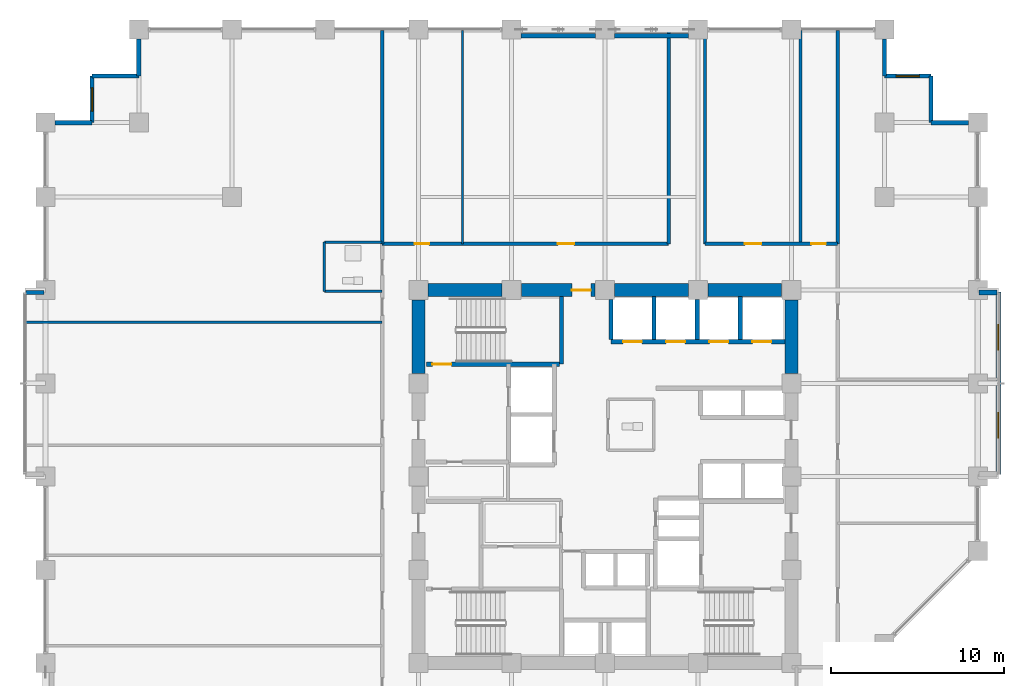
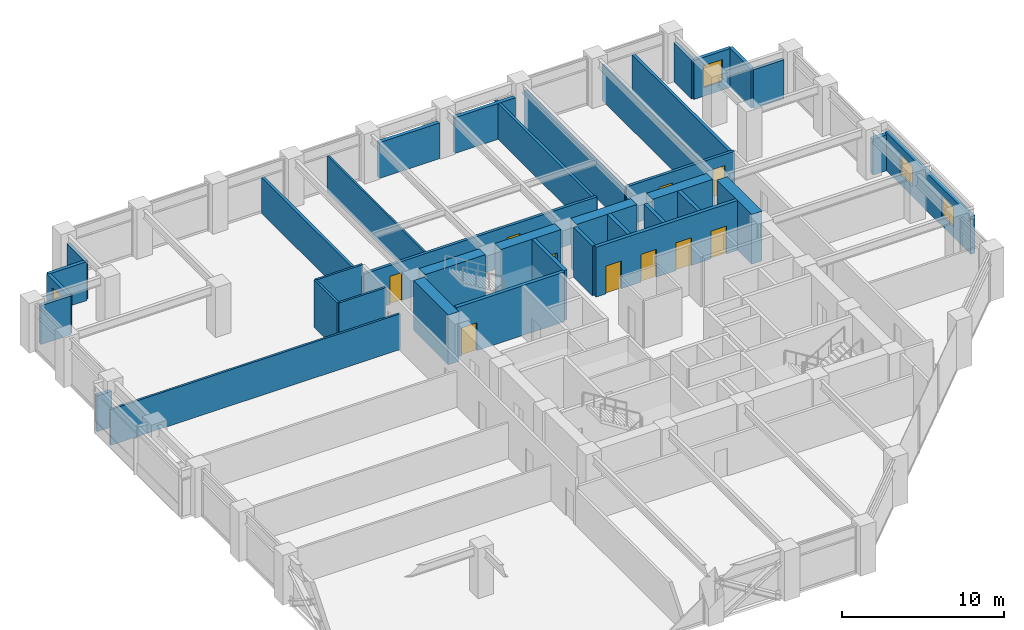
# One storey, part 21 of 25: 38 walls, 10 doors, 4 windows, 14 openings.
"""IFC4 building model written with IfcOpenShell, lengths in metres."""

from ifc_helpers import new_model, si_unit, direction, frame, frame_2d, origin, place, context, subcontext, project, spatial, rectangle, extrude, material, layer, layer_set, type_object, element, fill, save


model = new_model("IFC4")

# Units and contexts
model_context = context("Model", 3, precision=1e-05, world=origin(), true_north=direction((0.0, 1.0)))
body_context = subcontext(model_context, "Body", "Model", "MODEL_VIEW")
ifc_project = project(units=[si_unit("LENGTHUNIT", "METRE"), si_unit("AREAUNIT", "SQUARE_METRE"), si_unit("VOLUMEUNIT", "CUBIC_METRE"), si_unit("PLANEANGLEUNIT", "RADIAN"), si_unit("MASSUNIT", "GRAM", prefix="KILO")], contexts=[model_context])

# Site, building, storey
site_placement = place(None, origin())
site = spatial("IfcSite", under=ifc_project, at=site_placement, CompositionType="ELEMENT")
building_placement = place(site_placement, origin())
building = spatial("IfcBuilding", under=site, at=building_placement, Name="Surkhivell Harbour Commons", CompositionType="ELEMENT")
storey_placement = place(building_placement, frame((0.0, 0.0, 98.25)))
storey = spatial("IfcBuildingStorey", under=building, at=storey_placement, Name="L25", CompositionType="ELEMENT", Elevation=98.25)

# Wall
ifc_material_1 = material(Name="Concrete C60/75", Category="concrete")
ifc_layer_1 = layer(ifc_material_1, 0.75)
ifc_layer_set_1 = layer_set([ifc_layer_1], Name="Concrete C60/75")
wall_type_1 = type_object("IfcWallType", Name="WAL-CORE-750", PredefinedType="SHEAR", material=ifc_layer_set_1)
wall_1_placement = place(storey_placement, frame((-10.239990234375, 10.800048828125, 0.0), z_axis=(0.0, 0.0, 1.0), x_axis=(1.0, 0.0, 0.0)))
element("IfcWall", 1, at=wall_1_placement, inside=storey, type_object=wall_type_1, Name="L25 Core Shear Wall North 1", PredefinedType="SHEAR", context=body_context, shape_type="SweptSolid", body=[
    extrude(rectangle(XDim=4.280029296875, YDim=0.75, at=frame_2d((2.14013671875, 0.0))), origin(), (0.0, 0.0, 1.0), 3.75),
])

# Wall, opening, door
wall_2_placement = place(storey_placement, frame((-4.840087890625, 10.800048828125, 0.0), z_axis=(0.0, 0.0, 1.0), x_axis=(1.0, 0.0, 0.0)))
wall_2 = element("IfcWall", 2, at=wall_2_placement, inside=storey, type_object=wall_type_1, Name="L25 Core Shear Wall North 2", PredefinedType="SHEAR", context=body_context, shape_type="SweptSolid", body=[
    extrude(rectangle(XDim=4.280029296875, YDim=0.75, at=frame_2d((2.14013671875, 0.0))), origin(), (0.0, 0.0, 1.0), 3.75),
])
opening_1_placement = place(wall_2_placement, frame((2.929931640625, 0.0, 0.0)))
opening_1 = element("IfcOpeningElement", 3, at=opening_1_placement, cuts=wall_2, Name="Opening ID-2", PredefinedType="OPENING", context=body_context, shape_type="SweptSolid", body=[
    extrude(rectangle(XDim=1.10009765625, YDim=2.10009765625, at=frame_2d((0.550048828125, 1.050048828125))), frame((0.0, 0.385009765625, 0.0), z_axis=(0.0, -1.0, 0.0), x_axis=(1.0, 0.0, 0.0)), (0.0, 0.0, 1.0), 0.77001953125),
])
ifc_material_2 = material(Name="Hardwood-veneered fire-rated door leaf", Category="wood")
door_type_1 = type_object("IfcDoorType", Name="DOR-FD60-1100", OperationType="NOTDEFINED", PredefinedType="DOOR", material=ifc_material_2)
door_1_placement = place(opening_1_placement, origin())
door_1 = element("IfcDoor", 4, at=door_1_placement, inside=storey, type_object=door_type_1, Name="L25 Central Core Lift Hall North Corridor Door", OperationType="SINGLE_SWING_LEFT", OverallHeight=2.10009765625, OverallWidth=1.10009765625, PredefinedType="DOOR", context=body_context, shape_type="SweptSolid", body=[
    extrude(rectangle(XDim=1.10009765625, YDim=2.10009765625, at=frame_2d((0.550048828125, 1.050048828125))), frame((0.0, 0.02490234375, 0.0), z_axis=(0.0, -1.0, 0.0), x_axis=(1.0, 0.0, 0.0)), (0.0, 0.0, 1.0), 0.050048828125),
])
fill(opening_1, door_1)

# Walls
for number, where, z_axis, x_axis, name in (
    (5, (0.56005859375, 10.800048828125, 0.0), (0.0, 0.0, 1.0), (1.0, 0.0, 0.0), "L25 Core Shear Wall North 3"),
    (6, (5.9599609375, 10.800048828125, 0.0), (0.0, 0.0, 1.0), (1.0, 0.0, 0.0), "L25 Core Shear Wall North 4"),
    (7, (-10.800048828125, 5.9599609375, 0.0), (0.0, 0.0, 1.0), (0.0, 1.0, 0.0), "L25 Core Shear Wall West 4"),
    (8, (10.800048828125, 5.9599609375, 0.0), (0.0, 0.0, 1.0), (0.0, 1.0, 0.0), "L25 Core Shear Wall East 4"),
):
    element("IfcWall", number, at=place(storey_placement, frame(where, z_axis=z_axis, x_axis=x_axis)), inside=storey, type_object=wall_type_1, Name=name, PredefinedType="SHEAR", context=body_context, shape_type="SweptSolid", body=[
        extrude(rectangle(XDim=4.280029296875, YDim=0.75, at=frame_2d((2.14013671875, 0.0))), origin(), (0.0, 0.0, 1.0), 3.75),
    ])

# Wall, openings, windows
ifc_material_3 = material(Name="Flemish-bond kiln brick and precast concrete C45/55", Category="masonry")
ifc_layer_2 = layer(ifc_material_3, 0.300048828125)
ifc_layer_set_2 = layer_set([ifc_layer_2], Name="Flemish-bond kiln brick and precast concrete C45/55")
wall_type_2 = type_object("IfcWallType", Name="WAL-EXT-BRK300", PredefinedType="STANDARD", material=ifc_layer_set_2)
wall_3_placement = place(storey_placement, frame((22.800048828125, 0.1201171875, 0.0), z_axis=(0.0, 0.0, 1.0), x_axis=(0.0, 1.0, 0.0)))
wall_3 = element("IfcWall", 9, at=wall_3_placement, inside=storey, type_object=wall_type_2, Name="L25 Coloured Box Front Wall 01", PredefinedType="STANDARD", context=body_context, shape_type="SweptSolid", body=[
    extrude(rectangle(XDim=10.559814453125, YDim=0.300048828125, at=frame_2d((5.27978515625, 0.0))), origin(), (0.0, 0.0, 1.0), 2.85693359375),
])
opening_2_placement = place(wall_3_placement, frame((2.094970703125, 0.0, 0.75)))
opening_2 = element("IfcOpeningElement", 10, at=opening_2_placement, cuts=wall_3, Name="Opening WN-13", PredefinedType="OPENING", context=body_context, shape_type="SweptSolid", body=[
    extrude(rectangle(XDim=1.5, YDim=1.5, at=frame_2d((0.75, 0.75))), frame((0.0, 0.159912109375, 0.0), z_axis=(0.0, -1.0, 0.0), x_axis=(1.0, 0.0, 0.0)), (0.0, 0.0, 1.0), 0.320068359375),
])
opening_3_placement = place(wall_3_placement, frame((7.195068359375, 0.0, 0.75)))
opening_3 = element("IfcOpeningElement", 11, at=opening_3_placement, cuts=wall_3, Name="Opening WN-13", PredefinedType="OPENING", context=body_context, shape_type="SweptSolid", body=[
    extrude(rectangle(XDim=1.5, YDim=1.5, at=frame_2d((0.75, 0.75))), frame((0.0, 0.159912109375, 0.0), z_axis=(0.0, -1.0, 0.0), x_axis=(1.0, 0.0, 0.0)), (0.0, 0.0, 1.0), 0.320068359375),
])
ifc_material_4 = material(Name="Thermal-break aluminium frame and double low-E glazing", Category="aluminium")
window_type_1 = type_object("IfcWindowType", Name="WIN-BOX-1500x1500", PartitioningType="SINGLE_PANEL", PredefinedType="WINDOW", material=ifc_material_4)
window_1_placement = place(opening_2_placement, origin())
window_1 = element("IfcWindow", 12, at=window_1_placement, inside=storey, type_object=window_type_1, Name="L25 Coloured Box Square Window 01-1", OverallHeight=1.5, OverallWidth=1.5, PartitioningType="SINGLE_PANEL", PredefinedType="WINDOW", context=body_context, shape_type="SweptSolid", body=[
    extrude(rectangle(XDim=1.5, YDim=1.5, at=frame_2d((0.75, 0.75))), frame((0.0, 0.030029296875, 0.0), z_axis=(0.0, -1.0, 0.0), x_axis=(1.0, 0.0, 0.0)), (0.0, 0.0, 1.0), 0.06005859375),
])
fill(opening_2, window_1)
window_2_placement = place(opening_3_placement, origin())
window_2 = element("IfcWindow", 13, at=window_2_placement, inside=storey, type_object=window_type_1, Name="L25 Coloured Box Square Window 01-2", OverallHeight=1.5, OverallWidth=1.5, PartitioningType="SINGLE_PANEL", PredefinedType="WINDOW", context=body_context, shape_type="SweptSolid", body=[
    extrude(rectangle(XDim=1.5, YDim=1.5, at=frame_2d((0.75, 0.75))), frame((0.0, 0.030029296875, 0.0), z_axis=(0.0, -1.0, 0.0), x_axis=(1.0, 0.0, 0.0)), (0.0, 0.0, 1.0), 0.06005859375),
])
fill(opening_3, window_2)

# Walls
wall_4_placement = place(storey_placement, frame((21.679931640625, 10.659912109375, 0.0), z_axis=(0.0, 0.0, 1.0), x_axis=(1.0, 0.0, 0.0)))
element("IfcWall", 14, at=wall_4_placement, inside=storey, type_object=wall_type_2, Name="L25 Coloured Box Return Wall 01N", PredefinedType="STANDARD", context=body_context, shape_type="SweptSolid", body=[
    extrude(rectangle(XDim=1.0400390625, YDim=0.300048828125, at=frame_2d((0.52001953125, 0.0))), origin(), (0.0, 0.0, 1.0), 2.698974609375),
])
ifc_material_5 = material(Name="Pale-metal insulated precast concrete C45/55", Category="concrete")
ifc_layer_3 = layer(ifc_material_5, 0.260009765625)
ifc_layer_set_3 = layer_set([ifc_layer_3], Name="Pale-metal insulated precast concrete C45/55")
wall_type_3 = type_object("IfcWallType", Name="WAL-EXT-MTL260", PredefinedType="STANDARD", material=ifc_layer_set_3)
for number, where, z_axis, x_axis, name in (
    (15, (-0.548095703125, 25.5400390625, 0.0), (0.0, 0.0, 1.0), (-1.0, 0.0, 0.0), "L25 Braced-Bay Insulated Spandrel Backing N"),
    (16, (4.85205078125, 25.5400390625, 0.0), (0.0, 0.0, 1.0), (-1.0, 0.0, 0.0), "L25 Braced-Bay Insulated Spandrel Backing N2"),
):
    element("IfcWall", number, at=place(storey_placement, frame(where, z_axis=z_axis, x_axis=x_axis)), inside=storey, type_object=wall_type_3, Name=name, PredefinedType="STANDARD", context=body_context, shape_type="SweptSolid", body=[
        extrude(rectangle(XDim=4.303955078125, YDim=0.260009765625, at=frame_2d((2.15185546875, 0.0))), origin(), (0.0, 0.0, 1.0), 2.698974609375),
    ])
ifc_material_6 = material(Name="Bronze-ochre cassette precast concrete C45/55", Category="concrete")
ifc_layer_4 = layer(ifc_material_6, 0.239990234375)
ifc_layer_set_4 = layer_set([ifc_layer_4], Name="Bronze-ochre cassette precast concrete C45/55")
wall_type_4 = type_object("IfcWallType", Name="WAL-EXT-OCH240", PredefinedType="STANDARD", material=ifc_layer_set_4)
wall_5_placement = place(storey_placement, frame((21.052001953125, 20.5, 0.0), z_axis=(0.0, 0.0, 1.0), x_axis=(-1.0, 0.0, 0.0)))
element("IfcWall", 17, at=wall_5_placement, inside=storey, type_object=wall_type_4, Name="L25 Serrated Corner Facade Wall 03", PredefinedType="STANDARD", context=body_context, shape_type="SweptSolid", body=[
    extrude(rectangle(XDim=2.152099609375, YDim=0.239990234375, at=frame_2d((1.076171875, 0.0))), origin(), (0.0, 0.0, 1.0), 2.93310546875),
])
wall_6_placement = place(storey_placement, frame((18.89990234375, 20.5, 0.0), z_axis=(0.0, 0.0, 1.0), x_axis=(0.0, 1.0, 0.0)))
element("IfcWall", 18, at=wall_6_placement, inside=storey, type_object=wall_type_4, Name="L25 Serrated Corner Facade Wall 04", PredefinedType="STANDARD", context=body_context, shape_type="SweptSolid", body=[
    extrude(rectangle(XDim=2.699951171875, YDim=0.239990234375, at=frame_2d((1.35009765625, 0.0))), origin(), (0.0, 0.0, 1.0), 2.93310546875),
])

# Wall, opening, window
wall_7_placement = place(storey_placement, frame((18.89990234375, 23.199951171875, 0.0), z_axis=(0.0, 0.0, 1.0), x_axis=(-1.0, 0.0, 0.0)))
wall_7 = element("IfcWall", 19, at=wall_7_placement, inside=storey, type_object=wall_type_4, Name="L25 Serrated Corner Facade Wall 05", PredefinedType="STANDARD", context=body_context, shape_type="SweptSolid", body=[
    extrude(rectangle(XDim=2.699951171875, YDim=0.239990234375, at=frame_2d((1.35009765625, 0.0))), origin(), (0.0, 0.0, 1.0), 2.93310546875),
])
opening_4_placement = place(wall_7_placement, frame((0.675048828125, 0.0, 0.64990234375)))
opening_4 = element("IfcOpeningElement", 20, at=opening_4_placement, cuts=wall_7, Name="Opening WN-08", PredefinedType="OPENING", context=body_context, shape_type="SweptSolid", body=[
    extrude(rectangle(XDim=1.35009765625, YDim=1.64990234375, at=frame_2d((0.675048828125, 0.824951171875))), frame((0.0, 0.1298828125, 0.0), z_axis=(0.0, -1.0, 0.0), x_axis=(1.0, 0.0, 0.0)), (0.0, 0.0, 1.0), 0.260009765625),
])
window_type_2 = type_object("IfcWindowType", Name="WIN-SER-1350x1650", PartitioningType="SINGLE_PANEL", PredefinedType="WINDOW", material=ifc_material_4)
window_3_placement = place(opening_4_placement, origin())
window_3 = element("IfcWindow", 21, at=window_3_placement, inside=storey, type_object=window_type_2, Name="L25 Serrated Alcove Window 05", OverallHeight=1.64990234375, OverallWidth=1.35009765625, PartitioningType="SINGLE_PANEL", PredefinedType="WINDOW", context=body_context, shape_type="SweptSolid", body=[
    extrude(rectangle(XDim=1.35009765625, YDim=1.64990234375, at=frame_2d((0.675048828125, 0.824951171875))), frame((0.0, 0.030029296875, 0.0), z_axis=(0.0, -1.0, 0.0), x_axis=(1.0, 0.0, 0.0)), (0.0, 0.0, 1.0), 0.06005859375),
])
fill(opening_4, window_3)

# Walls
for number, where, z_axis, x_axis, name in (
    (22, (16.199951171875, 23.199951171875, 0.0), (0.0, 0.0, 1.0), (0.0, 1.0, 0.0), "L25 Serrated Corner Facade Wall 06"),
    (23, (-27.0, 25.35205078125, 0.0), (0.0, 0.0, 1.0), (0.0, -1.0, 0.0), "L25 Serrated Corner Facade Wall 08"),
):
    element("IfcWall", number, at=place(storey_placement, frame(where, z_axis=z_axis, x_axis=x_axis)), inside=storey, type_object=wall_type_4, Name=name, PredefinedType="STANDARD", context=body_context, shape_type="SweptSolid", body=[
        extrude(rectangle(XDim=2.152099609375, YDim=0.239990234375, at=frame_2d((1.076171875, 0.0))), origin(), (0.0, 0.0, 1.0), 2.93310546875),
    ])
wall_8_placement = place(storey_placement, frame((-27.0, 23.199951171875, 0.0), z_axis=(0.0, 0.0, 1.0), x_axis=(-1.0, 0.0, 0.0)))
element("IfcWall", 24, at=wall_8_placement, inside=storey, type_object=wall_type_4, Name="L25 Serrated Corner Facade Wall 09", PredefinedType="STANDARD", context=body_context, shape_type="SweptSolid", body=[
    extrude(rectangle(XDim=2.699951171875, YDim=0.239990234375, at=frame_2d((1.35009765625, 0.0))), origin(), (0.0, 0.0, 1.0), 2.93310546875),
])

# Wall, opening, window
wall_9_placement = place(storey_placement, frame((-29.699951171875, 23.199951171875, 0.0), z_axis=(0.0, 0.0, 1.0), x_axis=(0.0, -1.0, 0.0)))
wall_9 = element("IfcWall", 25, at=wall_9_placement, inside=storey, type_object=wall_type_4, Name="L25 Serrated Corner Facade Wall 10", PredefinedType="STANDARD", context=body_context, shape_type="SweptSolid", body=[
    extrude(rectangle(XDim=2.699951171875, YDim=0.239990234375, at=frame_2d((1.35009765625, 0.0))), origin(), (0.0, 0.0, 1.0), 2.93310546875),
])
opening_5_placement = place(wall_9_placement, frame((0.675048828125, 0.0, 0.64990234375)))
opening_5 = element("IfcOpeningElement", 26, at=opening_5_placement, cuts=wall_9, Name="Opening WN-08", PredefinedType="OPENING", context=body_context, shape_type="SweptSolid", body=[
    extrude(rectangle(XDim=1.35009765625, YDim=1.64990234375, at=frame_2d((0.675048828125, 0.824951171875))), frame((0.0, 0.1298828125, 0.0), z_axis=(0.0, -1.0, 0.0), x_axis=(1.0, 0.0, 0.0)), (0.0, 0.0, 1.0), 0.260009765625),
])
window_4_placement = place(opening_5_placement, origin())
window_4 = element("IfcWindow", 27, at=window_4_placement, inside=storey, type_object=window_type_2, Name="L25 Serrated Alcove Window 10", OverallHeight=1.64990234375, OverallWidth=1.35009765625, PartitioningType="SINGLE_PANEL", PredefinedType="WINDOW", context=body_context, shape_type="SweptSolid", body=[
    extrude(rectangle(XDim=1.35009765625, YDim=1.64990234375, at=frame_2d((0.675048828125, 0.824951171875))), frame((0.0, 0.030029296875, 0.0), z_axis=(0.0, -1.0, 0.0), x_axis=(1.0, 0.0, 0.0)), (0.0, 0.0, 1.0), 0.06005859375),
])
fill(opening_5, window_4)

# Walls
wall_10_placement = place(storey_placement, frame((-29.699951171875, 20.5, 0.0), z_axis=(0.0, 0.0, 1.0), x_axis=(-1.0, 0.0, 0.0)))
element("IfcWall", 28, at=wall_10_placement, inside=storey, type_object=wall_type_4, Name="L25 Serrated Corner Facade Wall 11", PredefinedType="STANDARD", context=body_context, shape_type="SweptSolid", body=[
    extrude(rectangle(XDim=2.152099609375, YDim=0.239990234375, at=frame_2d((1.076171875, 0.0))), origin(), (0.0, 0.0, 1.0), 2.93310546875),
])
wall_11_placement = place(storey_placement, frame((-33.52001953125, 10.659912109375, 0.0), z_axis=(0.0, 0.0, 1.0), x_axis=(1.0, 0.0, 0.0)))
element("IfcWall", 29, at=wall_11_placement, inside=storey, type_object=wall_type_4, Name="L25 Coloured Box Return Wall 02N", PredefinedType="STANDARD", context=body_context, shape_type="SweptSolid", body=[
    extrude(rectangle(XDim=1.0400390625, YDim=0.239990234375, at=frame_2d((0.52001953125, 0.0))), origin(), (0.0, 0.0, 1.0), 2.698974609375),
])
ifc_material_7 = material(Name="Moisture-resistant acoustic stud partition", Category="other")
ifc_layer_5 = layer(ifc_material_7, 0.125)
ifc_layer_set_5 = layer_set([ifc_layer_5], Name="Moisture-resistant acoustic stud partition")
wall_type_5 = type_object("IfcWallType", Name="WAL-INT-125", PredefinedType="PARTITIONING", material=ifc_layer_set_5)
wall_12_placement = place(storey_placement, frame((-8.25, 13.47998046875, 0.0), z_axis=(0.0, 0.0, 1.0), x_axis=(0.0, 1.0, 0.0)))
element("IfcWall", 30, at=wall_12_placement, inside=storey, type_object=wall_type_5, Name="L25 North-West Partition P1", PredefinedType="PARTITIONING", context=body_context, shape_type="SweptSolid", body=[
    extrude(rectangle(XDim=12.360107421875, YDim=0.125, at=frame_2d((6.18017578125, 0.0))), origin(), (0.0, 0.0, 1.0), 2.698974609375),
])
ifc_material_8 = material(Name="Twin-stud acoustic fireboard partition", Category="other")
ifc_layer_6 = layer(ifc_material_8, 0.14990234375)
ifc_layer_set_6 = layer_set([ifc_layer_6], Name="Twin-stud acoustic fireboard partition")
wall_type_6 = type_object("IfcWallType", Name="WAL-INT-150", PredefinedType="PARTITIONING", material=ifc_layer_set_6)
wall_13_placement = place(storey_placement, frame((11.330078125, 13.47998046875, 0.0), z_axis=(0.0, 0.0, 1.0), x_axis=(0.0, 1.0, 0.0)))
element("IfcWall", 31, at=wall_13_placement, inside=storey, type_object=wall_type_6, Name="L25 North-East Partition P1", PredefinedType="PARTITIONING", context=body_context, shape_type="SweptSolid", body=[
    extrude(rectangle(XDim=12.360107421875, YDim=0.14990234375, at=frame_2d((6.18017578125, 0.0))), origin(), (0.0, 0.0, 1.0), 2.698974609375),
])
wall_14_placement = place(storey_placement, frame((-16.25, 10.72998046875, 0.0), z_axis=(0.0, 0.0, 1.0), x_axis=(0.0, 1.0, 0.0)))
element("IfcWall", 32, at=wall_14_placement, inside=storey, type_object=wall_type_6, Name="L25 West Partition BTHB", PredefinedType="PARTITIONING", context=body_context, shape_type="SweptSolid", body=[
    extrude(rectangle(XDim=2.85009765625, YDim=0.14990234375, at=frame_2d((1.425048828125, 0.0))), origin(), (0.0, 0.0, 1.0), 3.570068359375),
])
for number, where, z_axis, x_axis, name in (
    (33, (-16.25, 13.580078125, 0.0), (0.0, 0.0, 1.0), (1.0, 0.0, 0.0), "L25 West Partition BTHN"),
    (34, (-16.25, 10.72998046875, 0.0), (0.0, 0.0, 1.0), (1.0, 0.0, 0.0), "L25 West Partition BTHS"),
):
    element("IfcWall", number, at=place(storey_placement, frame(where, z_axis=z_axis, x_axis=x_axis)), inside=storey, type_object=wall_type_6, Name=name, PredefinedType="PARTITIONING", context=body_context, shape_type="SweptSolid", body=[
        extrude(rectangle(XDim=3.35009765625, YDim=0.14990234375, at=frame_2d((1.675048828125, 0.0))), origin(), (0.0, 0.0, 1.0), 3.570068359375),
    ])
wall_15_placement = place(storey_placement, frame((-33.5400390625, 8.929931640625, 0.0), z_axis=(0.0, 0.0, 1.0), x_axis=(1.0, 0.0, 0.0)))
element("IfcWall", 35, at=wall_15_placement, inside=storey, type_object=wall_type_6, Name="L25 West Partition PTOP", PredefinedType="PARTITIONING", context=body_context, shape_type="SweptSolid", body=[
    extrude(rectangle(XDim=20.64013671875, YDim=0.14990234375, at=frame_2d((10.320068359375, 0.0))), origin(), (0.0, 0.0, 1.0), 2.698974609375),
])
ifc_material_9 = material(Name="Autoclaved aerated concrete blockwork and fire plaster", Category="masonry")
ifc_layer_7 = layer(ifc_material_9, 0.199951171875)
ifc_layer_set_7 = layer_set([ifc_layer_7], Name="Autoclaved aerated concrete blockwork and fire plaster")
wall_type_7 = type_object("IfcWallType", Name="WAL-INT-200", PredefinedType="PARTITIONING", material=ifc_layer_set_7)
for number, where, z_axis, x_axis, name in (
    (36, (13.47998046875, 13.47998046875, 0.0), (0.0, 0.0, 1.0), (0.0, 1.0, 0.0), "L25 North-East Wing Corner Divider"),
    (37, (-12.89990234375, 13.47998046875, 0.0), (0.0, 0.0, 1.0), (0.0, 1.0, 0.0), "L25 North-West Wing Corner Divider"),
):
    element("IfcWall", number, at=place(storey_placement, frame(where, z_axis=z_axis, x_axis=x_axis)), inside=storey, type_object=wall_type_7, Name=name, PredefinedType="PARTITIONING", context=body_context, shape_type="SweptSolid", body=[
        extrude(rectangle(XDim=12.360107421875, YDim=0.199951171875, at=frame_2d((6.18017578125, 0.0))), origin(), (0.0, 0.0, 1.0), 2.698974609375),
    ])

# Wall, openings, doors
wall_16_placement = place(storey_placement, frame((-12.89990234375, 13.47998046875, 0.0), z_axis=(0.0, 0.0, 1.0), x_axis=(1.0, 0.0, 0.0)))
wall_16 = element("IfcWall", 38, at=wall_16_placement, inside=storey, type_object=wall_type_7, Name="L25 Corridor North-West Wall", PredefinedType="PARTITIONING", context=body_context, shape_type="SweptSolid", body=[
    extrude(rectangle(XDim=16.599853515625, YDim=0.199951171875, at=frame_2d((8.2998046875, 0.0))), origin(), (0.0, 0.0, 1.0), 2.93310546875),
])
opening_6_placement = place(wall_16_placement, frame((1.875, 0.0, 0.0)))
opening_6 = element("IfcOpeningElement", 39, at=opening_6_placement, cuts=wall_16, Name="Opening ID-6", PredefinedType="OPENING", context=body_context, shape_type="SweptSolid", body=[
    extrude(rectangle(XDim=0.85009765625, YDim=2.10009765625, at=frame_2d((0.425048828125, 1.050048828125))), frame((0.0, 0.10986328125, 0.0), z_axis=(0.0, -1.0, 0.0), x_axis=(1.0, 0.0, 0.0)), (0.0, 0.0, 1.0), 0.219970703125),
])
opening_7_placement = place(wall_16_placement, frame((10.175048828125, 0.0, 0.0)))
opening_7 = element("IfcOpeningElement", 40, at=opening_7_placement, cuts=wall_16, Name="Opening ID-4", PredefinedType="OPENING", context=body_context, shape_type="SweptSolid", body=[
    extrude(rectangle(XDim=0.949951171875, YDim=2.10009765625, at=frame_2d((0.47509765625, 1.050048828125))), frame((0.0, 0.10986328125, 0.0), z_axis=(0.0, -1.0, 0.0), x_axis=(1.0, 0.0, 0.0)), (0.0, 0.0, 1.0), 0.219970703125),
])
door_type_2 = type_object("IfcDoorType", Name="DOR-FD30-850", OperationType="NOTDEFINED", PredefinedType="DOOR", material=ifc_material_2)
door_2_placement = place(opening_6_placement, origin())
door_2 = element("IfcDoor", 41, at=door_2_placement, inside=storey, type_object=door_type_2, Name="L25 Shared Communal Kitchen A North-West Door", OperationType="SINGLE_SWING_RIGHT", OverallHeight=2.10009765625, OverallWidth=0.85009765625, PredefinedType="DOOR", context=body_context, shape_type="SweptSolid", body=[
    extrude(rectangle(XDim=0.85009765625, YDim=2.10009765625, at=frame_2d((0.425048828125, 1.050048828125))), frame((0.0, 0.02490234375, 0.0), z_axis=(0.0, -1.0, 0.0), x_axis=(1.0, 0.0, 0.0)), (0.0, 0.0, 1.0), 0.050048828125),
])
fill(opening_6, door_2)
door_type_3 = type_object("IfcDoorType", Name="DOR-FD60-950", OperationType="NOTDEFINED", PredefinedType="DOOR", material=ifc_material_2)
door_3_placement = place(opening_7_placement, origin())
door_3 = element("IfcDoor", 42, at=door_3_placement, inside=storey, type_object=door_type_3, Name="L25 Shared Communal Kitchen B North-West Door", OperationType="SINGLE_SWING_LEFT", OverallHeight=2.10009765625, OverallWidth=0.949951171875, PredefinedType="DOOR", context=body_context, shape_type="SweptSolid", body=[
    extrude(rectangle(XDim=0.949951171875, YDim=2.10009765625, at=frame_2d((0.47509765625, 1.050048828125))), frame((0.0, 0.02490234375, 0.0), z_axis=(0.0, -1.0, 0.0), x_axis=(1.0, 0.0, 0.0)), (0.0, 0.0, 1.0), 0.050048828125),
])
fill(opening_7, door_3)

wall_17_placement = place(storey_placement, frame((5.800048828125, 13.47998046875, 0.0), z_axis=(0.0, 0.0, 1.0), x_axis=(1.0, 0.0, 0.0)))
wall_17 = element("IfcWall", 43, at=wall_17_placement, inside=storey, type_object=wall_type_7, Name="L25 Corridor North-East Wall", PredefinedType="PARTITIONING", context=body_context, shape_type="SweptSolid", body=[
    extrude(rectangle(XDim=7.679931640625, YDim=0.199951171875, at=frame_2d((3.83984375, 0.0))), origin(), (0.0, 0.0, 1.0), 2.93310546875),
])
opening_8_placement = place(wall_17_placement, frame((2.31494140625, 0.0, 0.0)))
opening_8 = element("IfcOpeningElement", 44, at=opening_8_placement, cuts=wall_17, Name="Opening ID-4", PredefinedType="OPENING", context=body_context, shape_type="SweptSolid", body=[
    extrude(rectangle(XDim=0.949951171875, YDim=2.10009765625, at=frame_2d((0.47509765625, 1.050048828125))), frame((0.0, 0.10986328125, 0.0), z_axis=(0.0, -1.0, 0.0), x_axis=(1.0, 0.0, 0.0)), (0.0, 0.0, 1.0), 0.219970703125),
])
opening_9_placement = place(wall_17_placement, frame((6.155029296875, 0.0, 0.0)))
opening_9 = element("IfcOpeningElement", 45, at=opening_9_placement, cuts=wall_17, Name="Opening ID-6", PredefinedType="OPENING", context=body_context, shape_type="SweptSolid", body=[
    extrude(rectangle(XDim=0.85009765625, YDim=2.10009765625, at=frame_2d((0.425048828125, 1.050048828125))), frame((0.0, 0.10986328125, 0.0), z_axis=(0.0, -1.0, 0.0), x_axis=(1.0, 0.0, 0.0)), (0.0, 0.0, 1.0), 0.219970703125),
])
door_4_placement = place(opening_9_placement, origin())
door_4 = element("IfcDoor", 46, at=door_4_placement, inside=storey, type_object=door_type_2, Name="L25 Resident Advisory Reception Desk North-East Door", OperationType="SINGLE_SWING_LEFT", OverallHeight=2.10009765625, OverallWidth=0.85009765625, PredefinedType="DOOR", context=body_context, shape_type="SweptSolid", body=[
    extrude(rectangle(XDim=0.85009765625, YDim=2.10009765625, at=frame_2d((0.425048828125, 1.050048828125))), frame((0.0, 0.02490234375, 0.0), z_axis=(0.0, -1.0, 0.0), x_axis=(1.0, 0.0, 0.0)), (0.0, 0.0, 1.0), 0.050048828125),
])
fill(opening_9, door_4)
door_5_placement = place(opening_8_placement, origin())
door_5 = element("IfcDoor", 47, at=door_5_placement, inside=storey, type_object=door_type_3, Name="L25 Zone Concierge Reception Foyer North-East Door", OperationType="SINGLE_SWING_RIGHT", OverallHeight=2.10009765625, OverallWidth=0.949951171875, PredefinedType="DOOR", context=body_context, shape_type="SweptSolid", body=[
    extrude(rectangle(XDim=0.949951171875, YDim=2.10009765625, at=frame_2d((0.47509765625, 1.050048828125))), frame((0.0, 0.02490234375, 0.0), z_axis=(0.0, -1.0, 0.0), x_axis=(1.0, 0.0, 0.0)), (0.0, 0.0, 1.0), 0.050048828125),
])
fill(opening_8, door_5)

# Walls
for number, where, z_axis, x_axis, name in (
    (48, (5.800048828125, 13.47998046875, 0.0), (0.0, 0.0, 1.0), (0.0, 1.0, 0.0), "L25 North Alcove East Wall"),
    (49, (3.699951171875, 13.47998046875, 0.0), (0.0, 0.0, 1.0), (0.0, 1.0, 0.0), "L25 North Alcove West Wall"),
):
    element("IfcWall", number, at=place(storey_placement, frame(where, z_axis=z_axis, x_axis=x_axis)), inside=storey, type_object=wall_type_7, Name=name, PredefinedType="PARTITIONING", context=body_context, shape_type="SweptSolid", body=[
        extrude(rectangle(XDim=12.360107421875, YDim=0.199951171875, at=frame_2d((6.18017578125, 0.0))), origin(), (0.0, 0.0, 1.0), 2.698974609375),
    ])
ifc_material_10 = material(Name="Concrete C50/60", Category="concrete")
ifc_layer_8 = layer(ifc_material_10, 0.25)
ifc_layer_set_8 = layer_set([ifc_layer_8], Name="Concrete C50/60")
wall_type_8 = type_object("IfcWallType", Name="WAL-SHAFT-250", PredefinedType="SHEAR", material=ifc_layer_set_8)
wall_18_placement = place(storey_placement, frame((2.85009765625, 7.93994140625, 0.0), z_axis=(0.0, 0.0, 1.0), x_axis=(0.0, 1.0, 0.0)))
element("IfcWall", 50, at=wall_18_placement, inside=storey, type_object=wall_type_8, Name="L25 Low-Rise Hoistway Wall", PredefinedType="SHEAR", context=body_context, shape_type="SweptSolid", body=[
    extrude(rectangle(XDim=2.485107421875, YDim=0.25, at=frame_2d((1.24267578125, 0.0))), origin(), (0.0, 0.0, 1.0), 3.75),
])
for number, where, z_axis, x_axis, name in (
    (51, (0.35009765625, 7.93994140625, 0.0), (0.0, 0.0, 1.0), (0.0, 1.0, 0.0), "L25 Low-Rise Hoistway Wall"),
    (52, (5.35009765625, 7.93994140625, 0.0), (0.0, 0.0, 1.0), (0.0, 1.0, 0.0), "L25 Low-Rise Hoistway Wall"),
):
    element("IfcWall", number, at=place(storey_placement, frame(where, z_axis=z_axis, x_axis=x_axis)), inside=storey, type_object=wall_type_8, Name=name, PredefinedType="SHEAR", context=body_context, shape_type="SweptSolid", body=[
        extrude(rectangle(XDim=2.31005859375, YDim=0.25, at=frame_2d((1.155029296875, 0.0))), origin(), (0.0, 0.0, 1.0), 3.75),
    ])
wall_19_placement = place(storey_placement, frame((7.85009765625, 7.93994140625, 0.0), z_axis=(0.0, 0.0, 1.0), x_axis=(0.0, 1.0, 0.0)))
element("IfcWall", 53, at=wall_19_placement, inside=storey, type_object=wall_type_8, Name="L25 Low-Rise Hoistway Wall", PredefinedType="SHEAR", context=body_context, shape_type="SweptSolid", body=[
    extrude(rectangle(XDim=2.485107421875, YDim=0.25, at=frame_2d((1.24267578125, 0.0))), origin(), (0.0, 0.0, 1.0), 3.75),
])

# Wall, openings, doors
wall_20_placement = place(storey_placement, frame((0.35009765625, 7.820068359375, 0.0), z_axis=(0.0, 0.0, 1.0), x_axis=(1.0, 0.0, 0.0)))
wall_20 = element("IfcWall", 54, at=wall_20_placement, inside=storey, type_object=wall_type_8, Name="L25 Low-Rise Lift Front Shaft Wall", PredefinedType="SHEAR", context=body_context, shape_type="SweptSolid", body=[
    extrude(rectangle(XDim=10.074951171875, YDim=0.25, at=frame_2d((5.03759765625, 0.0))), origin(), (0.0, 0.0, 1.0), 3.75),
])
opening_10_placement = place(wall_20_placement, frame((0.699951171875, 0.0, 0.0)))
opening_10 = element("IfcOpeningElement", 55, at=opening_10_placement, cuts=wall_20, Name="Opening LD-1", PredefinedType="OPENING", context=body_context, shape_type="SweptSolid", body=[
    extrude(rectangle(XDim=1.10009765625, YDim=2.10009765625, at=frame_2d((0.550048828125, 1.050048828125))), frame((0.0, 0.135009765625, 0.0), z_axis=(0.0, -1.0, 0.0), x_axis=(1.0, 0.0, 0.0)), (0.0, 0.0, 1.0), 0.27001953125),
])
opening_11_placement = place(wall_20_placement, frame((3.199951171875, 0.0, 0.0)))
opening_11 = element("IfcOpeningElement", 56, at=opening_11_placement, cuts=wall_20, Name="Opening LD-1", PredefinedType="OPENING", context=body_context, shape_type="SweptSolid", body=[
    extrude(rectangle(XDim=1.10009765625, YDim=2.10009765625, at=frame_2d((0.550048828125, 1.050048828125))), frame((0.0, 0.135009765625, 0.0), z_axis=(0.0, -1.0, 0.0), x_axis=(1.0, 0.0, 0.0)), (0.0, 0.0, 1.0), 0.27001953125),
])
opening_12_placement = place(wall_20_placement, frame((5.699951171875, 0.0, 0.0)))
opening_12 = element("IfcOpeningElement", 57, at=opening_12_placement, cuts=wall_20, Name="Opening LD-1", PredefinedType="OPENING", context=body_context, shape_type="SweptSolid", body=[
    extrude(rectangle(XDim=1.10009765625, YDim=2.10009765625, at=frame_2d((0.550048828125, 1.050048828125))), frame((0.0, 0.135009765625, 0.0), z_axis=(0.0, -1.0, 0.0), x_axis=(1.0, 0.0, 0.0)), (0.0, 0.0, 1.0), 0.27001953125),
])
opening_13_placement = place(wall_20_placement, frame((8.199951171875, 0.0, 0.0)))
opening_13 = element("IfcOpeningElement", 58, at=opening_13_placement, cuts=wall_20, Name="Opening LD-1", PredefinedType="OPENING", context=body_context, shape_type="SweptSolid", body=[
    extrude(rectangle(XDim=1.10009765625, YDim=2.10009765625, at=frame_2d((0.550048828125, 1.050048828125))), frame((0.0, 0.135009765625, 0.0), z_axis=(0.0, -1.0, 0.0), x_axis=(1.0, 0.0, 0.0)), (0.0, 0.0, 1.0), 0.27001953125),
])
ifc_material_11 = material(Name="Brushed stainless steel S355", Category="steel")
door_type_4 = type_object("IfcDoorType", Name="DOR-LD-1100", OperationType="SLIDING_TO_LEFT", PredefinedType="DOOR", material=ifc_material_11)
door_6_placement = place(opening_10_placement, origin())
door_6 = element("IfcDoor", 59, at=door_6_placement, inside=storey, type_object=door_type_4, Name="L25 Lift Landing Door LD-PL1", OperationType="SLIDING_TO_LEFT", OverallHeight=2.10009765625, OverallWidth=1.10009765625, PredefinedType="DOOR", context=body_context, shape_type="SweptSolid", body=[
    extrude(rectangle(XDim=1.10009765625, YDim=2.10009765625, at=frame_2d((0.550048828125, 1.050048828125))), frame((0.0, 0.02490234375, 0.0), z_axis=(0.0, -1.0, 0.0), x_axis=(1.0, 0.0, 0.0)), (0.0, 0.0, 1.0), 0.050048828125),
])
fill(opening_10, door_6)
door_7_placement = place(opening_11_placement, origin())
door_7 = element("IfcDoor", 60, at=door_7_placement, inside=storey, type_object=door_type_4, Name="L25 Lift Landing Door LD-PL2", OperationType="SLIDING_TO_LEFT", OverallHeight=2.10009765625, OverallWidth=1.10009765625, PredefinedType="DOOR", context=body_context, shape_type="SweptSolid", body=[
    extrude(rectangle(XDim=1.10009765625, YDim=2.10009765625, at=frame_2d((0.550048828125, 1.050048828125))), frame((0.0, 0.02490234375, 0.0), z_axis=(0.0, -1.0, 0.0), x_axis=(1.0, 0.0, 0.0)), (0.0, 0.0, 1.0), 0.050048828125),
])
fill(opening_11, door_7)
door_8_placement = place(opening_12_placement, origin())
door_8 = element("IfcDoor", 61, at=door_8_placement, inside=storey, type_object=door_type_4, Name="L25 Lift Landing Door LD-PL3", OperationType="SLIDING_TO_LEFT", OverallHeight=2.10009765625, OverallWidth=1.10009765625, PredefinedType="DOOR", context=body_context, shape_type="SweptSolid", body=[
    extrude(rectangle(XDim=1.10009765625, YDim=2.10009765625, at=frame_2d((0.550048828125, 1.050048828125))), frame((0.0, 0.02490234375, 0.0), z_axis=(0.0, -1.0, 0.0), x_axis=(1.0, 0.0, 0.0)), (0.0, 0.0, 1.0), 0.050048828125),
])
fill(opening_12, door_8)
door_9_placement = place(opening_13_placement, origin())
door_9 = element("IfcDoor", 62, at=door_9_placement, inside=storey, type_object=door_type_4, Name="L25 Lift Landing Door LD-PL4", OperationType="SLIDING_TO_LEFT", OverallHeight=2.10009765625, OverallWidth=1.10009765625, PredefinedType="DOOR", context=body_context, shape_type="SweptSolid", body=[
    extrude(rectangle(XDim=1.10009765625, YDim=2.10009765625, at=frame_2d((0.550048828125, 1.050048828125))), frame((0.0, 0.02490234375, 0.0), z_axis=(0.0, -1.0, 0.0), x_axis=(1.0, 0.0, 0.0)), (0.0, 0.0, 1.0), 0.050048828125),
])
fill(opening_13, door_9)

# Wall
wall_21_placement = place(storey_placement, frame((-2.510009765625, 6.510009765625, 0.0), z_axis=(0.0, 0.0, 1.0), x_axis=(0.0, 1.0, 0.0)))
element("IfcWall", 63, at=wall_21_placement, inside=storey, type_object=wall_type_8, Name="L25 Stair ST1 East Shear Wall", PredefinedType="SHEAR", context=body_context, shape_type="SweptSolid", body=[
    extrude(rectangle(XDim=3.9150390625, YDim=0.25, at=frame_2d((1.95751953125, 0.0))), origin(), (0.0, 0.0, 1.0), 3.75),
])

# Wall, opening, door
wall_22_placement = place(storey_placement, frame((-10.340087890625, 6.510009765625, 0.0), z_axis=(0.0, 0.0, 1.0), x_axis=(1.0, 0.0, 0.0)))
wall_22 = element("IfcWall", 64, at=wall_22_placement, inside=storey, type_object=wall_type_8, Name="L25 Stair ST1 South Shear Wall", PredefinedType="SHEAR", context=body_context, shape_type="SweptSolid", body=[
    extrude(rectangle(XDim=7.7001953125, YDim=0.25, at=frame_2d((3.85009765625, 0.0))), origin(), (0.0, 0.0, 1.0), 3.75),
])
opening_14_placement = place(wall_22_placement, frame((0.35009765625, 0.0, 0.0)))
opening_14 = element("IfcOpeningElement", 65, at=opening_14_placement, cuts=wall_22, Name="Opening ID-2", PredefinedType="OPENING", context=body_context, shape_type="SweptSolid", body=[
    extrude(rectangle(XDim=1.10009765625, YDim=2.10009765625, at=frame_2d((0.550048828125, 1.050048828125))), frame((0.0, 0.135009765625, 0.0), z_axis=(0.0, -1.0, 0.0), x_axis=(1.0, 0.0, 0.0)), (0.0, 0.0, 1.0), 0.27001953125),
])
door_10_placement = place(opening_14_placement, origin())
door_10 = element("IfcDoor", 66, at=door_10_placement, inside=storey, type_object=door_type_1, Name="L25 Stair ST1 Exit Door", OperationType="SINGLE_SWING_LEFT", OverallHeight=2.10009765625, OverallWidth=1.10009765625, PredefinedType="DOOR", context=body_context, shape_type="SweptSolid", body=[
    extrude(rectangle(XDim=1.10009765625, YDim=2.10009765625, at=frame_2d((0.550048828125, 1.050048828125))), frame((0.0, 0.02490234375, 0.0), z_axis=(0.0, -1.0, 0.0), x_axis=(1.0, 0.0, 0.0)), (0.0, 0.0, 1.0), 0.050048828125),
])
fill(opening_14, door_10)

save(model, "model.ifc")
